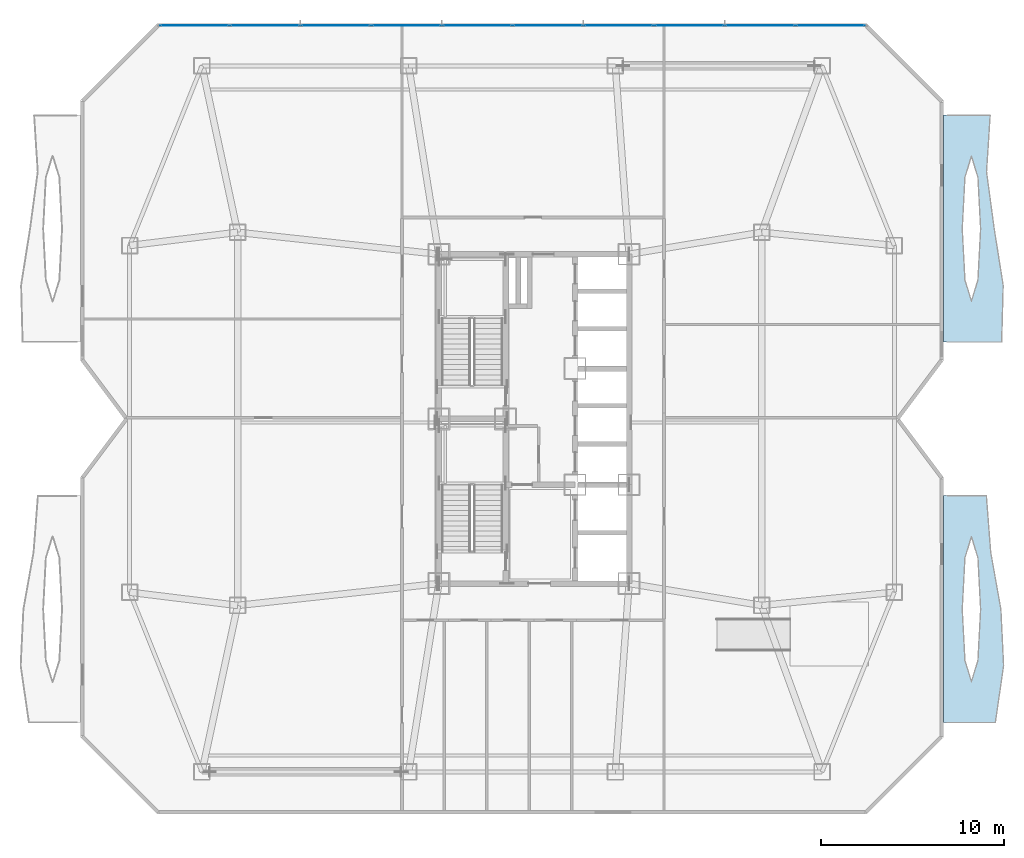
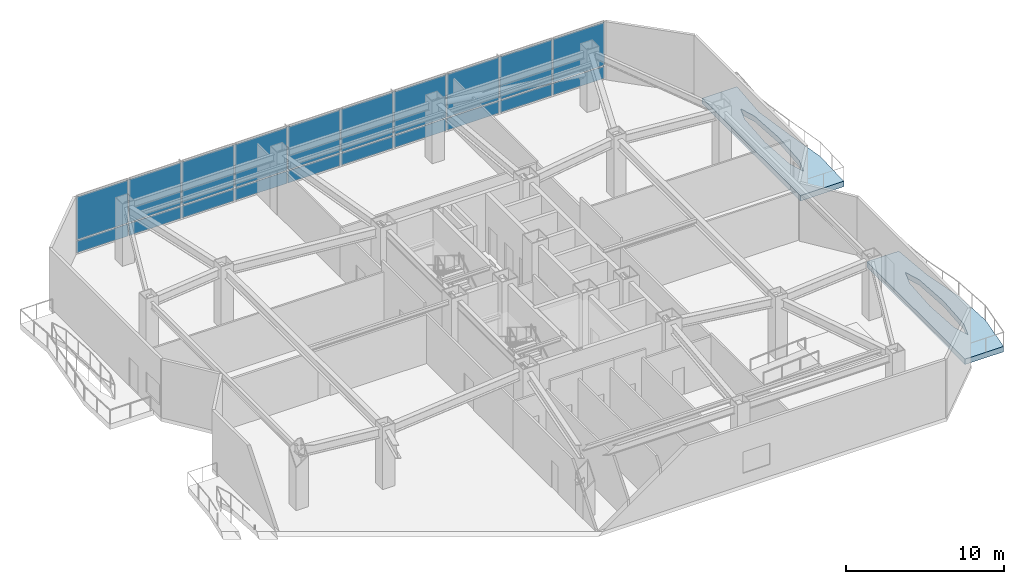
# One storey, part 7 of 16: 20 plates, 2 slabs, 1 element without a shape of its own.
"""IFC4 building model written with IfcOpenShell, lengths in metres."""

import ifcopenshell
import ifcopenshell.guid

model = None  # the IFC model being written
_history = None  # IfcOwnerHistory: only IFC2X3 demands one
_inside = {}  # id of a spatial element -> (the spatial element, [elements in it])
_under = {}  # id of a project, library or spatial element -> (it, [spatial elements below it])
_declared = {}  # id of a project -> (the project, [libraries it declares])
_typed = {}  # id of a type object -> (the type object, [elements of that type])
_made_of = {}  # id of a material, layer set ... -> (it, [elements and type objects made of it])


def new_model(schema):
    """Start an empty IFC model of exactly this schema.

    Asked for "IFC4X3", IfcOpenShell would pick the latest addendum, in which some entities
    have other attributes; the version numbers below select the first issue.
    IFC2X3 requires an IfcOwnerHistory on every rooted entity: one is made here for all.
    """
    global model, _history
    if schema == "IFC4X3":
        model = ifcopenshell.file(schema_version=(4, 3, 0, 0))
    else:
        model = ifcopenshell.file(schema=schema)
    _inside.clear()
    _under.clear()
    _declared.clear()
    _typed.clear()
    _made_of.clear()
    _history = None
    if model.schema == "IFC2X3":
        org = make("IfcOrganization", Name="unknown")
        user = make(
            "IfcPersonAndOrganization",
            ThePerson=make("IfcPerson", FamilyName="unknown"),
            TheOrganization=org,
        )
        app = make(
            "IfcApplication",
            ApplicationDeveloper=org,
            Version="unknown",
            ApplicationFullName="unknown",
            ApplicationIdentifier="unknown",
        )
        _history = make(
            "IfcOwnerHistory",
            OwningUser=user,
            OwningApplication=app,
            ChangeAction="ADDED",
            CreationDate=0,
        )
    return model


def make(cls, **values):
    """One entity of the class cls with the attributes given. An attribute that is None is left unset."""
    return model.create_entity(
        cls, **{name: value for name, value in values.items() if value is not None}
    )


def rooted(cls, **values):
    """An entity with a GlobalId (a new one), such as an element, a storey or a relation."""
    return make(cls, GlobalId=ifcopenshell.guid.new(), OwnerHistory=_history, **values)


def si_unit(unit_type, name, prefix=None):
    """IfcSIUnit, for example si_unit("LENGTHUNIT", "METRE", prefix="MILLI")."""
    return make("IfcSIUnit", UnitType=unit_type, Prefix=prefix, Name=name)


def assignment(units):
    """IfcUnitAssignment: the units of a project."""
    return None if units is None else make("IfcUnitAssignment", Units=units)


def point(xyz):
    """IfcCartesianPoint."""
    return None if xyz is None else make("IfcCartesianPoint", Coordinates=xyz)


def direction(xyz):
    """IfcDirection."""
    return None if xyz is None else make("IfcDirection", DirectionRatios=xyz)


def frame(location, z_axis=None, x_axis=None):
    """IfcAxis2Placement3D, a coordinate frame: its origin and axes. An axis left out is left unset."""
    return make(
        "IfcAxis2Placement3D",
        Location=point(location),
        Axis=direction(z_axis),
        RefDirection=direction(x_axis),
    )


def frame_2d(location, x_axis=None):
    """IfcAxis2Placement2D, a coordinate frame in the plane: its origin and x axis."""
    return make(
        "IfcAxis2Placement2D", Location=point(location), RefDirection=direction(x_axis)
    )


def origin():
    """The frame at (0, 0, 0) with its axes left unset."""
    return frame((0.0, 0.0, 0.0))


def origin_2d():
    """The frame at (0, 0) in the plane with its x axis left unset."""
    return frame_2d((0.0, 0.0))


def place(relative_to, where):
    """IfcLocalPlacement: puts the frame where relative to a parent placement (None: the world)."""
    return make(
        "IfcLocalPlacement", PlacementRelTo=relative_to, RelativePlacement=where
    )


def context(
    kind, dimensions, precision=None, world=None, true_north=None, identifier=None
):
    """IfcGeometricRepresentationContext, for example the 3D "Model" context."""
    return make(
        "IfcGeometricRepresentationContext",
        ContextIdentifier=identifier,
        ContextType=kind,
        CoordinateSpaceDimension=dimensions,
        Precision=precision,
        WorldCoordinateSystem=world,
        TrueNorth=true_north,
    )


def subcontext(parent, identifier, kind, view, scale=None):
    """IfcGeometricRepresentationSubContext, for example "Body" below "Model"."""
    return make(
        "IfcGeometricRepresentationSubContext",
        ContextIdentifier=identifier,
        ContextType=kind,
        ParentContext=parent,
        TargetScale=scale,
        TargetView=view,
    )


def project(units=None, contexts=None):
    """IfcProject with its units and contexts."""
    return rooted(
        "IfcProject",
        Name="project",
        RepresentationContexts=contexts,
        UnitsInContext=assignment(units),
    )


def spatial(cls, under=None, at=None, **own):
    """A site, building, storey or space (cls), placed at a placement, below another one or the project."""
    s = rooted(cls, ObjectPlacement=at, **own)
    if under is not None:
        _under.setdefault(under.id(), (under, []))[1].append(s)
    return s


def polyline(points):
    """IfcPolyline through the points."""
    return make("IfcPolyline", Points=[point(p) for p in points])


def profile(cls, at=None, kind="AREA", **sizes):
    """A parametric profile (cls). Its sizes go by their IFC names, for example OverallWidth=200.0."""
    return make(cls, ProfileType=kind, Position=at, **sizes)


def rectangle(**sizes):
    """IfcRectangleProfileDef."""
    return profile("IfcRectangleProfileDef", **sizes)


def outline(outer, holes=None, kind="AREA"):
    """IfcArbitraryClosedProfileDef: a profile drawn as a closed curve; with holes, ...WithVoids."""
    if holes is None:
        return make("IfcArbitraryClosedProfileDef", ProfileType=kind, OuterCurve=outer)
    return make(
        "IfcArbitraryProfileDefWithVoids",
        ProfileType=kind,
        OuterCurve=outer,
        InnerCurves=holes,
    )


def extrude(swept, where, along, depth):
    """IfcExtrudedAreaSolid: the profile swept, set in the frame where, extruded along a direction by depth."""
    return make(
        "IfcExtrudedAreaSolid",
        SweptArea=swept,
        Position=where,
        ExtrudedDirection=direction(along),
        Depth=depth,
    )


def shape(context_of_items, identifier, shape_type, items):
    """IfcShapeRepresentation: the items that make up one representation, for example the "Body"."""
    return make(
        "IfcShapeRepresentation",
        ContextOfItems=context_of_items,
        RepresentationIdentifier=identifier,
        RepresentationType=shape_type,
        Items=items,
    )


def material(Name=None, Category=None):
    """IfcMaterial."""
    return make("IfcMaterial", Name=Name, Category=Category)


def layer(
    of_material, thickness, ventilated=None, Name=None, Category=None, Priority=None
):
    """IfcMaterialLayer: one layer of a wall or slab, of a material (None: an air gap)."""
    return make(
        "IfcMaterialLayer",
        Material=of_material,
        LayerThickness=thickness,
        IsVentilated=ventilated,
        Name=Name,
        Category=Category,
        Priority=Priority,
    )


def layer_set(layers, Name=None):
    """IfcMaterialLayerSet."""
    return make("IfcMaterialLayerSet", MaterialLayers=layers, LayerSetName=Name)


def made_of(thing, what):
    """Note that an element or type object is made of a material, layer set ...; save() writes the relation."""
    if what is not None:
        _made_of.setdefault(what.id(), (what, []))[1].append(thing)
    return thing


def type_object(cls, material=None, **own):
    """A type object (cls), such as IfcWallType, which elements share."""
    return made_of(rooted(cls, **own), material)


def element(
    cls,
    number,
    at=None,
    inside=None,
    cuts=None,
    type_object=None,
    material=None,
    context=None,
    identifier="Body",
    shape_type=None,
    held_by="IfcProductDefinitionShape",
    body=None,
    shapes=None,
    **own,
):
    """One element of the class cls, such as IfcWall. Its Tag is "e" and its number.

    at: its placement. inside: the storey or other place that contains it. cuts: it is an
    opening in that element (IfcRelVoidsElement). A single representation is given by context,
    identifier, shape_type and body (its items); several are given by shapes. held_by: the class
    of the entity that holds the representations. save() writes the other relations.
    """
    e = rooted(cls, Tag="e%d" % number, ObjectPlacement=at, **own)
    if body is not None:
        shapes = [shape(context, identifier, shape_type, body)]
    if shapes is not None:
        e.Representation = make(held_by, Representations=shapes)
    if inside is not None:
        _inside.setdefault(inside.id(), (inside, []))[1].append(e)
    if cuts is not None:
        rooted(
            "IfcRelVoidsElement", RelatingBuildingElement=cuts, RelatedOpeningElement=e
        )
    if type_object is not None:
        _typed.setdefault(type_object.id(), (type_object, []))[1].append(e)
    return made_of(e, material)


def aggregate(whole, parts):
    """IfcRelAggregates: a whole, such as a stair, and the parts it consists of."""
    return rooted("IfcRelAggregates", RelatingObject=whole, RelatedObjects=parts)


def save(model, path):
    """Write the relations noted so far, then the file.

    IfcRelAggregates (storeys below a building ...), IfcRelContainedInSpatialStructure (elements
    in a storey), IfcRelDefinesByType, IfcRelAssociatesMaterial and IfcRelDeclares: one each for
    every whole, place, type object, material and project.
    """
    for whole, parts in _under.values():
        aggregate(whole, parts)
    for where, things in _inside.values():
        rooted(
            "IfcRelContainedInSpatialStructure",
            RelatedElements=things,
            RelatingStructure=where,
        )
    for kind, things in _typed.values():
        rooted("IfcRelDefinesByType", RelatedObjects=things, RelatingType=kind)
    for what, things in _made_of.values():
        rooted("IfcRelAssociatesMaterial", RelatedObjects=things, RelatingMaterial=what)
    for by, libraries in _declared.values():
        rooted("IfcRelDeclares", RelatingContext=by, RelatedDefinitions=libraries)
    model.write(path)


model = new_model("IFC4")

# Units and contexts
model_context = context("Model", 3, precision=1e-05, world=origin(), true_north=direction((0.0, 1.0)))
body_context = subcontext(model_context, "Body", "Model", "MODEL_VIEW")
ifc_project = project(units=[si_unit("LENGTHUNIT", "METRE"), si_unit("AREAUNIT", "SQUARE_METRE"), si_unit("VOLUMEUNIT", "CUBIC_METRE"), si_unit("PLANEANGLEUNIT", "RADIAN"), si_unit("MASSUNIT", "GRAM", prefix="KILO")], contexts=[model_context])

# Site, building, storey
site_placement = place(None, origin())
site = spatial("IfcSite", under=ifc_project, at=site_placement, CompositionType="ELEMENT")
building_placement = place(site_placement, origin())
building = spatial("IfcBuilding", under=site, at=building_placement, Name="Khamvora Tower", CompositionType="ELEMENT")
storey_placement = place(building_placement, frame((0.0, 0.0, 145.699951171875)))
storey = spatial("IfcBuildingStorey", under=building, at=storey_placement, Name="L37", CompositionType="ELEMENT", Elevation=145.699951171875)

# Curtain wall, plates
ifc_material_1 = material(Name="Anodised Aluminium 6063-T6", Category="aluminium")
curtain_wall_type = type_object("IfcCurtainWallType", Name="CW-SYS-06", PredefinedType="NOTDEFINED", material=ifc_material_1)
curtain_wall_placement = place(storey_placement, origin())
curtain_wall = element("IfcCurtainWall", 1, at=curtain_wall_placement, inside=storey, type_object=curtain_wall_type, Name="L37 stick curtain wall 07.1", PredefinedType="NOTDEFINED")
ifc_material_2 = material(Name="Low-E Laminated Double Glazing", Category="glass")
ifc_layer_1 = layer(ifc_material_2, 0.0380859375)
ifc_layer_set_1 = layer_set([ifc_layer_1], Name="Low-E Laminated Double Glazing")
plate_type = type_object("IfcPlateType", Name="CW-SYS-06-PNL", PredefinedType="CURTAIN_PANEL", material=ifc_layer_set_1)
plate_1_placement = place(storey_placement, frame((15.65478515625, 49.5, 0.080078125), z_axis=(0.0, 0.0, 1.0), x_axis=(1.0, 0.0, 0.0)))
plate_1 = element("IfcPlate", 2, at=plate_1_placement, type_object=plate_type, Name="CW-06 panel 1.1", PredefinedType="CURTAIN_PANEL", context=body_context, shape_type="SweptSolid", body=[
    extrude(rectangle(XDim=3.74560546875, YDim=0.0380859375, at=origin_2d()), origin(), (0.0, 0.0, 1.0), 0.929931640625),
])
plate_2_placement = place(storey_placement, frame((15.65478515625, 49.5, 1.090087890625), z_axis=(0.0, 0.0, 1.0), x_axis=(1.0, 0.0, 0.0)))
plate_2 = element("IfcPlate", 3, at=plate_2_placement, type_object=plate_type, Name="CW-06 panel 1.2", PredefinedType="CURTAIN_PANEL", context=body_context, shape_type="SweptSolid", body=[
    extrude(rectangle(XDim=3.74560546875, YDim=0.0380859375, at=origin_2d()), origin(), (0.0, 0.0, 1.0), 3.31005859375),
])
plate_3_placement = place(storey_placement, frame((19.50048828125, 49.5, 0.080078125), z_axis=(0.0, 0.0, 1.0), x_axis=(1.0, 0.0, 0.0)))
plate_3 = element("IfcPlate", 4, at=plate_3_placement, type_object=plate_type, Name="CW-06 panel 2.1", PredefinedType="CURTAIN_PANEL", context=body_context, shape_type="SweptSolid", body=[
    extrude(rectangle(XDim=3.78564453125, YDim=0.0380859375, at=origin_2d()), origin(), (0.0, 0.0, 1.0), 0.929931640625),
])
plate_4_placement = place(storey_placement, frame((19.50048828125, 49.5, 1.090087890625), z_axis=(0.0, 0.0, 1.0), x_axis=(1.0, 0.0, 0.0)))
plate_4 = element("IfcPlate", 5, at=plate_4_placement, type_object=plate_type, Name="CW-06 panel 2.2", PredefinedType="CURTAIN_PANEL", context=body_context, shape_type="SweptSolid", body=[
    extrude(rectangle(XDim=3.78564453125, YDim=0.0380859375, at=origin_2d()), origin(), (0.0, 0.0, 1.0), 3.31005859375),
])
plate_5_placement = place(storey_placement, frame((23.3662109375, 49.5, 0.080078125), z_axis=(0.0, 0.0, 1.0), x_axis=(1.0, 0.0, 0.0)))
plate_5 = element("IfcPlate", 6, at=plate_5_placement, type_object=plate_type, Name="CW-06 panel 3.1", PredefinedType="CURTAIN_PANEL", context=body_context, shape_type="SweptSolid", body=[
    extrude(rectangle(XDim=3.78564453125, YDim=0.0380859375, at=origin_2d()), origin(), (0.0, 0.0, 1.0), 0.929931640625),
])
plate_6_placement = place(storey_placement, frame((23.3662109375, 49.5, 1.090087890625), z_axis=(0.0, 0.0, 1.0), x_axis=(1.0, 0.0, 0.0)))
plate_6 = element("IfcPlate", 7, at=plate_6_placement, type_object=plate_type, Name="CW-06 panel 3.2", PredefinedType="CURTAIN_PANEL", context=body_context, shape_type="SweptSolid", body=[
    extrude(rectangle(XDim=3.78564453125, YDim=0.0380859375, at=origin_2d()), origin(), (0.0, 0.0, 1.0), 3.31005859375),
])
plate_7_placement = place(storey_placement, frame((27.23193359375, 49.5, 0.080078125), z_axis=(0.0, 0.0, 1.0), x_axis=(1.0, 0.0, 0.0)))
plate_7 = element("IfcPlate", 8, at=plate_7_placement, type_object=plate_type, Name="CW-06 panel 4.1", PredefinedType="CURTAIN_PANEL", context=body_context, shape_type="SweptSolid", body=[
    extrude(rectangle(XDim=3.78564453125, YDim=0.0380859375, at=origin_2d()), origin(), (0.0, 0.0, 1.0), 0.929931640625),
])
plate_8_placement = place(storey_placement, frame((27.23193359375, 49.5, 1.090087890625), z_axis=(0.0, 0.0, 1.0), x_axis=(1.0, 0.0, 0.0)))
plate_8 = element("IfcPlate", 9, at=plate_8_placement, type_object=plate_type, Name="CW-06 panel 4.2", PredefinedType="CURTAIN_PANEL", context=body_context, shape_type="SweptSolid", body=[
    extrude(rectangle(XDim=3.78564453125, YDim=0.0380859375, at=origin_2d()), origin(), (0.0, 0.0, 1.0), 3.31005859375),
])
plate_9_placement = place(storey_placement, frame((31.09765625, 49.5, 0.080078125), z_axis=(0.0, 0.0, 1.0), x_axis=(1.0, 0.0, 0.0)))
plate_9 = element("IfcPlate", 10, at=plate_9_placement, type_object=plate_type, Name="CW-06 panel 5.1", PredefinedType="CURTAIN_PANEL", context=body_context, shape_type="SweptSolid", body=[
    extrude(rectangle(XDim=3.78564453125, YDim=0.0380859375, at=origin_2d()), origin(), (0.0, 0.0, 1.0), 0.929931640625),
])
plate_10_placement = place(storey_placement, frame((31.09765625, 49.5, 1.090087890625), z_axis=(0.0, 0.0, 1.0), x_axis=(1.0, 0.0, 0.0)))
plate_10 = element("IfcPlate", 11, at=plate_10_placement, type_object=plate_type, Name="CW-06 panel 5.2", PredefinedType="CURTAIN_PANEL", context=body_context, shape_type="SweptSolid", body=[
    extrude(rectangle(XDim=3.78564453125, YDim=0.0380859375, at=origin_2d()), origin(), (0.0, 0.0, 1.0), 3.31005859375),
])
plate_11_placement = place(storey_placement, frame((34.96337890625, 49.5, 0.080078125), z_axis=(0.0, 0.0, 1.0), x_axis=(1.0, 0.0, 0.0)))
plate_11 = element("IfcPlate", 12, at=plate_11_placement, type_object=plate_type, Name="CW-06 panel 6.1", PredefinedType="CURTAIN_PANEL", context=body_context, shape_type="SweptSolid", body=[
    extrude(rectangle(XDim=3.78564453125, YDim=0.0380859375, at=origin_2d()), origin(), (0.0, 0.0, 1.0), 0.929931640625),
])
plate_12_placement = place(storey_placement, frame((34.96337890625, 49.5, 1.090087890625), z_axis=(0.0, 0.0, 1.0), x_axis=(1.0, 0.0, 0.0)))
plate_12 = element("IfcPlate", 13, at=plate_12_placement, type_object=plate_type, Name="CW-06 panel 6.2", PredefinedType="CURTAIN_PANEL", context=body_context, shape_type="SweptSolid", body=[
    extrude(rectangle(XDim=3.78564453125, YDim=0.0380859375, at=origin_2d()), origin(), (0.0, 0.0, 1.0), 3.31005859375),
])
plate_13_placement = place(storey_placement, frame((38.8291015625, 49.5, 0.080078125), z_axis=(0.0, 0.0, 1.0), x_axis=(1.0, 0.0, 0.0)))
plate_13 = element("IfcPlate", 14, at=plate_13_placement, type_object=plate_type, Name="CW-06 panel 7.1", PredefinedType="CURTAIN_PANEL", context=body_context, shape_type="SweptSolid", body=[
    extrude(rectangle(XDim=3.78564453125, YDim=0.0380859375, at=origin_2d()), origin(), (0.0, 0.0, 1.0), 0.929931640625),
])
plate_14_placement = place(storey_placement, frame((38.8291015625, 49.5, 1.090087890625), z_axis=(0.0, 0.0, 1.0), x_axis=(1.0, 0.0, 0.0)))
plate_14 = element("IfcPlate", 15, at=plate_14_placement, type_object=plate_type, Name="CW-06 panel 7.2", PredefinedType="CURTAIN_PANEL", context=body_context, shape_type="SweptSolid", body=[
    extrude(rectangle(XDim=3.78564453125, YDim=0.0380859375, at=origin_2d()), origin(), (0.0, 0.0, 1.0), 3.31005859375),
])
plate_15_placement = place(storey_placement, frame((42.69482421875, 49.5, 0.080078125), z_axis=(0.0, 0.0, 1.0), x_axis=(1.0, 0.0, 0.0)))
plate_15 = element("IfcPlate", 16, at=plate_15_placement, type_object=plate_type, Name="CW-06 panel 8.1", PredefinedType="CURTAIN_PANEL", context=body_context, shape_type="SweptSolid", body=[
    extrude(rectangle(XDim=3.78564453125, YDim=0.0380859375, at=origin_2d()), origin(), (0.0, 0.0, 1.0), 0.929931640625),
])
plate_16_placement = place(storey_placement, frame((42.69482421875, 49.5, 1.090087890625), z_axis=(0.0, 0.0, 1.0), x_axis=(1.0, 0.0, 0.0)))
plate_16 = element("IfcPlate", 17, at=plate_16_placement, type_object=plate_type, Name="CW-06 panel 8.2", PredefinedType="CURTAIN_PANEL", context=body_context, shape_type="SweptSolid", body=[
    extrude(rectangle(XDim=3.78564453125, YDim=0.0380859375, at=origin_2d()), origin(), (0.0, 0.0, 1.0), 3.31005859375),
])
plate_17_placement = place(storey_placement, frame((46.560546875, 49.5, 0.080078125), z_axis=(0.0, 0.0, 1.0), x_axis=(1.0, 0.0, 0.0)))
plate_17 = element("IfcPlate", 18, at=plate_17_placement, type_object=plate_type, Name="CW-06 panel 9.1", PredefinedType="CURTAIN_PANEL", context=body_context, shape_type="SweptSolid", body=[
    extrude(rectangle(XDim=3.78564453125, YDim=0.0380859375, at=origin_2d()), origin(), (0.0, 0.0, 1.0), 0.929931640625),
])
plate_18_placement = place(storey_placement, frame((46.560546875, 49.5, 1.090087890625), z_axis=(0.0, 0.0, 1.0), x_axis=(1.0, 0.0, 0.0)))
plate_18 = element("IfcPlate", 19, at=plate_18_placement, type_object=plate_type, Name="CW-06 panel 9.2", PredefinedType="CURTAIN_PANEL", context=body_context, shape_type="SweptSolid", body=[
    extrude(rectangle(XDim=3.78564453125, YDim=0.0380859375, at=origin_2d()), origin(), (0.0, 0.0, 1.0), 3.31005859375),
])
plate_19_placement = place(storey_placement, frame((50.40625, 49.5, 0.080078125), z_axis=(0.0, 0.0, 1.0), x_axis=(1.0, 0.0, 0.0)))
plate_19 = element("IfcPlate", 20, at=plate_19_placement, type_object=plate_type, Name="CW-06 panel 10.1", PredefinedType="CURTAIN_PANEL", context=body_context, shape_type="SweptSolid", body=[
    extrude(rectangle(XDim=3.74560546875, YDim=0.0380859375, at=origin_2d()), origin(), (0.0, 0.0, 1.0), 0.929931640625),
])
plate_20_placement = place(storey_placement, frame((50.40625, 49.5, 1.090087890625), z_axis=(0.0, 0.0, 1.0), x_axis=(1.0, 0.0, 0.0)))
plate_20 = element("IfcPlate", 21, at=plate_20_placement, type_object=plate_type, Name="CW-06 panel 10.2", PredefinedType="CURTAIN_PANEL", context=body_context, shape_type="SweptSolid", body=[
    extrude(rectangle(XDim=3.74560546875, YDim=0.0380859375, at=origin_2d()), origin(), (0.0, 0.0, 1.0), 3.31005859375),
])
aggregate(curtain_wall, [plate_1, plate_2, plate_3, plate_4, plate_5, plate_6, plate_7, plate_8, plate_9, plate_10, plate_11, plate_12, plate_13, plate_14, plate_15, plate_16, plate_17, plate_18, plate_19, plate_20])

# Slabs
ifc_material_3 = material(Name="Concrete C40/50", Category="concrete")
ifc_layer_2 = layer(ifc_material_3, 0.419921875)
ifc_layer_set_2 = layer_set([ifc_layer_2], Name="Concrete C40/50")
slab_type = type_object("IfcSlabType", Name="SLB-GRD-420", PredefinedType="FLOOR", material=ifc_layer_set_2)
slab_1_placement = place(storey_placement, frame((0.0, 0.0, -0.419921875)))
element("IfcSlab", 22, at=slab_1_placement, inside=storey, type_object=slab_type, Name="L37 external lens gallery slab EL1", PredefinedType="FLOOR", context=body_context, shape_type="SweptSolid", body=[
    extrude(outline(polyline([(59.419921875, 11.39990234375), (59.8720703125, 14.5), (59.72412109375, 17.60009765625), (59.16796875, 20.699951171875), (58.931884765625, 23.800048828125), (56.60009765625, 23.800048828125), (56.60009765625, 11.39990234375), (59.419921875, 11.39990234375)]), holes=[polyline([(58.618896484375, 17.60009765625), (58.470947265625, 20.406005859375), (58.114990234375, 21.568115234375), (57.759033203125, 20.406005859375), (57.611083984375, 17.60009765625), (57.759033203125, 14.7939453125), (58.114990234375, 13.632080078125), (58.470947265625, 14.7939453125), (58.618896484375, 17.60009765625)])]), origin(), (0.0, 0.0, 1.0), 0.419921875),
])
slab_2_placement = place(storey_placement, frame((0.0, 0.0, -0.419921875)))
element("IfcSlab", 23, at=slab_2_placement, inside=storey, type_object=slab_type, Name="L37 external lens gallery slab EL2", PredefinedType="FLOOR", context=body_context, shape_type="SweptSolid", body=[
    extrude(outline(polyline([(59.76708984375, 32.199951171875), (59.84912109375, 35.300048828125), (59.360107421875, 38.39990234375), (58.93994140625, 41.5), (59.137939453125, 44.60009765625), (56.60009765625, 44.60009765625), (56.60009765625, 32.199951171875), (59.76708984375, 32.199951171875)]), holes=[polyline([(58.618896484375, 38.39990234375), (58.470947265625, 41.2060546875), (58.114990234375, 42.367919921875), (57.759033203125, 41.2060546875), (57.611083984375, 38.39990234375), (57.759033203125, 35.593994140625), (58.114990234375, 34.431884765625), (58.470947265625, 35.593994140625), (58.618896484375, 38.39990234375)])]), origin(), (0.0, 0.0, 1.0), 0.419921875),
])

save(model, "model.ifc")
